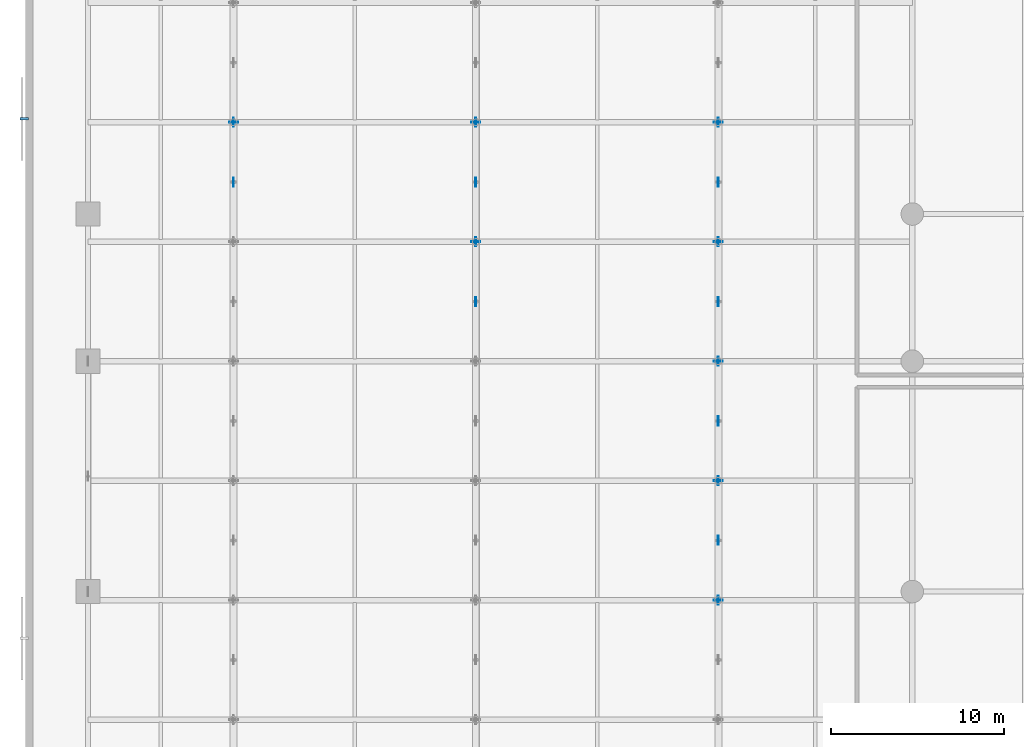
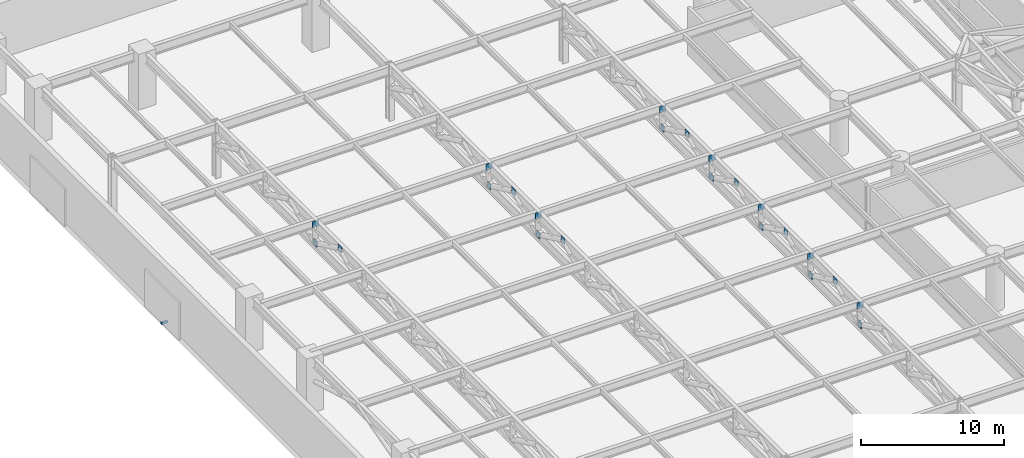
# One storey, part 30 of 40: 24 discrete accessories.
"""IFC4 building model written with IfcOpenShell, lengths in metres."""

from ifc_helpers import new_model, si_unit, direction, frame, origin, origin_2d, place, context, subcontext, project, spatial, rectangle, extrude, material, type_object, element, save


model = new_model("IFC4")

# Units and contexts
model_context = context("Model", 3, precision=1e-05, world=origin(), true_north=direction((0.0, 1.0)))
body_context = subcontext(model_context, "Body", "Model", "MODEL_VIEW")
ifc_project = project(units=[si_unit("LENGTHUNIT", "METRE"), si_unit("AREAUNIT", "SQUARE_METRE"), si_unit("VOLUMEUNIT", "CUBIC_METRE"), si_unit("PLANEANGLEUNIT", "RADIAN"), si_unit("MASSUNIT", "GRAM", prefix="KILO")], contexts=[model_context])

# Site, building, storey
site_placement = place(None, origin())
site = spatial("IfcSite", under=ifc_project, at=site_placement, CompositionType="ELEMENT")
building_placement = place(site_placement, origin())
building = spatial("IfcBuilding", under=site, at=building_placement, Name="Narakoshi Arena Tower", CompositionType="ELEMENT")
storey_placement = place(building_placement, frame((0.0, 0.0, 21.60009765625)))
storey = spatial("IfcBuildingStorey", under=building, at=storey_placement, Name="L05", CompositionType="ELEMENT", Elevation=21.60009765625)

# Discrete accessories
ifc_material_1 = material(Name="Structural steel S355J2", Category="steel")
discrete_accessory_type_1 = type_object("IfcDiscreteAccessoryType", Name="ACC-BRK-SCR", PredefinedType="BRACKET", material=ifc_material_1)
discrete_accessory_placement = place(storey_placement, frame((-0.080078125, 62.0, -0.080078125), z_axis=(0.0, 0.0, 1.0), x_axis=(0.0, 1.0, 0.0)))
element("IfcDiscreteAccessory", 1, at=discrete_accessory_placement, inside=storey, type_object=discrete_accessory_type_1, Name="L05 Solar Screen Support Bracket SHD-L05-LVR-W3", PredefinedType="BRACKET", context=body_context, shape_type="SweptSolid", body=[
    extrude(rectangle(XDim=0.159912109375, YDim=0.5, at=origin_2d()), origin(), (0.0, 0.0, 1.0), 0.199951171875),
])
ifc_material_2 = material(Name="Structural steel S460ML", Category="steel")
discrete_accessory_type_2 = type_object("IfcDiscreteAccessoryType", Name="ACC-GUS-PLT", PredefinedType="BRACKET", material=ifc_material_2)
for number, where, z_axis, x_axis, name in (
    (2, (12.0, 58.35009765625, 4.06494140625), (0.0, 0.0, 1.0), (0.0, 1.0, 0.0), "L05 Brace Node Gusset Plate 0065"),
    (3, (12.0, 61.800048828125, 2.43994140625), (0.0, 0.0, 1.0), (0.0, 1.0, 0.0), "L05 Brace Node Gusset Plate 0066"),
    (4, (12.0, 61.800048828125, 4.06494140625), (0.0, 0.0, 1.0), (1.0, 0.0, 0.0), "L05 Brace Node Gusset Plate 0067"),
    (5, (26.0, 51.449951171875, 4.06494140625), (0.0, 0.0, 1.0), (0.0, 1.0, 0.0), "L05 Brace Node Gusset Plate 0086"),
    (6, (26.0, 54.89990234375, 2.43994140625), (0.0, 0.0, 1.0), (0.0, 1.0, 0.0), "L05 Brace Node Gusset Plate 0087"),
    (7, (26.0, 54.89990234375, 4.06494140625), (0.0, 0.0, 1.0), (1.0, 0.0, 0.0), "L05 Brace Node Gusset Plate 0088"),
    (8, (26.0, 58.35009765625, 4.06494140625), (0.0, 0.0, 1.0), (0.0, 1.0, 0.0), "L05 Brace Node Gusset Plate 0089"),
    (9, (26.0, 61.800048828125, 2.43994140625), (0.0, 0.0, 1.0), (0.0, 1.0, 0.0), "L05 Brace Node Gusset Plate 0090"),
    (10, (26.0, 61.800048828125, 4.06494140625), (0.0, 0.0, 1.0), (1.0, 0.0, 0.0), "L05 Brace Node Gusset Plate 0091"),
    (11, (40.0, 34.199951171875, 2.43994140625), (0.0, 0.0, 1.0), (0.0, 1.0, 0.0), "L05 Brace Node Gusset Plate 0102"),
    (12, (40.0, 34.199951171875, 4.06494140625), (0.0, 0.0, 1.0), (1.0, 0.0, 0.0), "L05 Brace Node Gusset Plate 0103"),
    (13, (40.0, 37.64990234375, 4.06494140625), (0.0, 0.0, 1.0), (0.0, 1.0, 0.0), "L05 Brace Node Gusset Plate 0104"),
    (14, (40.0, 41.10009765625, 2.43994140625), (0.0, 0.0, 1.0), (0.0, 1.0, 0.0), "L05 Brace Node Gusset Plate 0105"),
    (15, (40.0, 41.10009765625, 4.06494140625), (0.0, 0.0, 1.0), (1.0, 0.0, 0.0), "L05 Brace Node Gusset Plate 0106"),
    (16, (40.0, 44.550048828125, 4.06494140625), (0.0, 0.0, 1.0), (0.0, 1.0, 0.0), "L05 Brace Node Gusset Plate 0107"),
    (17, (40.0, 48.0, 2.43994140625), (0.0, 0.0, 1.0), (0.0, 1.0, 0.0), "L05 Brace Node Gusset Plate 0108"),
    (18, (40.0, 48.0, 4.06494140625), (0.0, 0.0, 1.0), (1.0, 0.0, 0.0), "L05 Brace Node Gusset Plate 0109"),
    (19, (40.0, 51.449951171875, 4.06494140625), (0.0, 0.0, 1.0), (0.0, 1.0, 0.0), "L05 Brace Node Gusset Plate 0110"),
    (20, (40.0, 54.89990234375, 2.43994140625), (0.0, 0.0, 1.0), (0.0, 1.0, 0.0), "L05 Brace Node Gusset Plate 0111"),
    (21, (40.0, 54.89990234375, 4.06494140625), (0.0, 0.0, 1.0), (1.0, 0.0, 0.0), "L05 Brace Node Gusset Plate 0112"),
    (22, (40.0, 58.35009765625, 4.06494140625), (0.0, 0.0, 1.0), (0.0, 1.0, 0.0), "L05 Brace Node Gusset Plate 0113"),
    (23, (40.0, 61.800048828125, 2.43994140625), (0.0, 0.0, 1.0), (0.0, 1.0, 0.0), "L05 Brace Node Gusset Plate 0114"),
    (24, (40.0, 61.800048828125, 4.06494140625), (0.0, 0.0, 1.0), (1.0, 0.0, 0.0), "L05 Brace Node Gusset Plate 0115"),
):
    element("IfcDiscreteAccessory", number, at=place(storey_placement, frame(where, z_axis=z_axis, x_axis=x_axis)), inside=storey, type_object=discrete_accessory_type_2, Name=name, PredefinedType="BRACKET", context=body_context, shape_type="SweptSolid", body=[
        extrude(rectangle(XDim=0.52001953125, YDim=0.050048828125, at=origin_2d()), origin(), (0.0, 0.0, 1.0), 0.52001953125),
    ])

save(model, "model.ifc")
